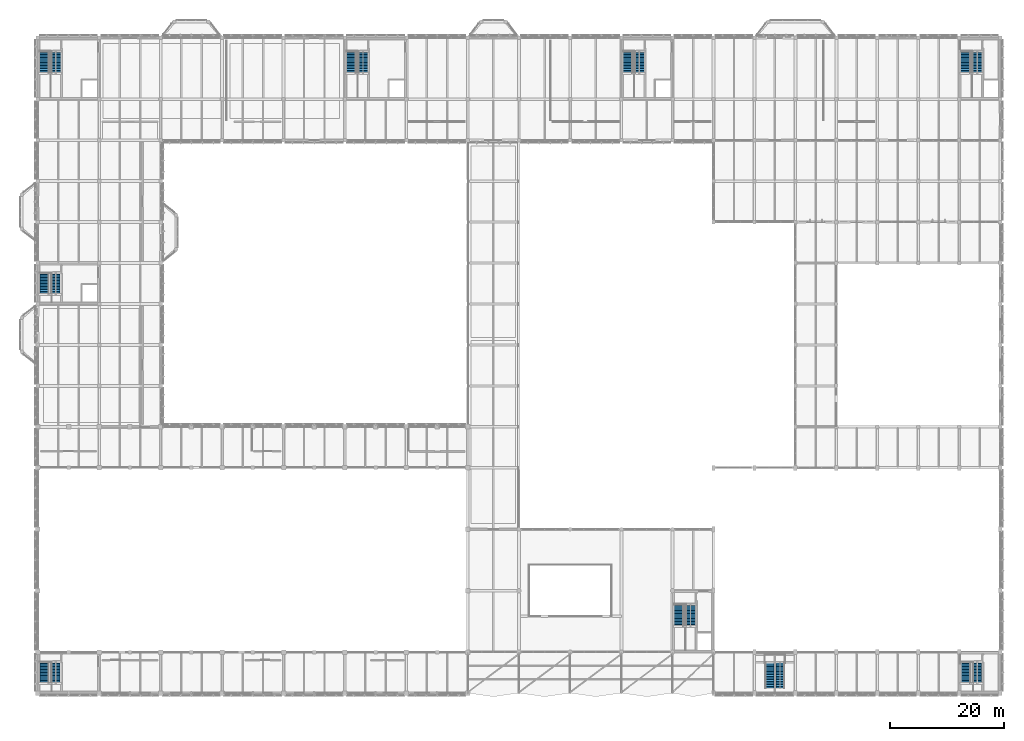
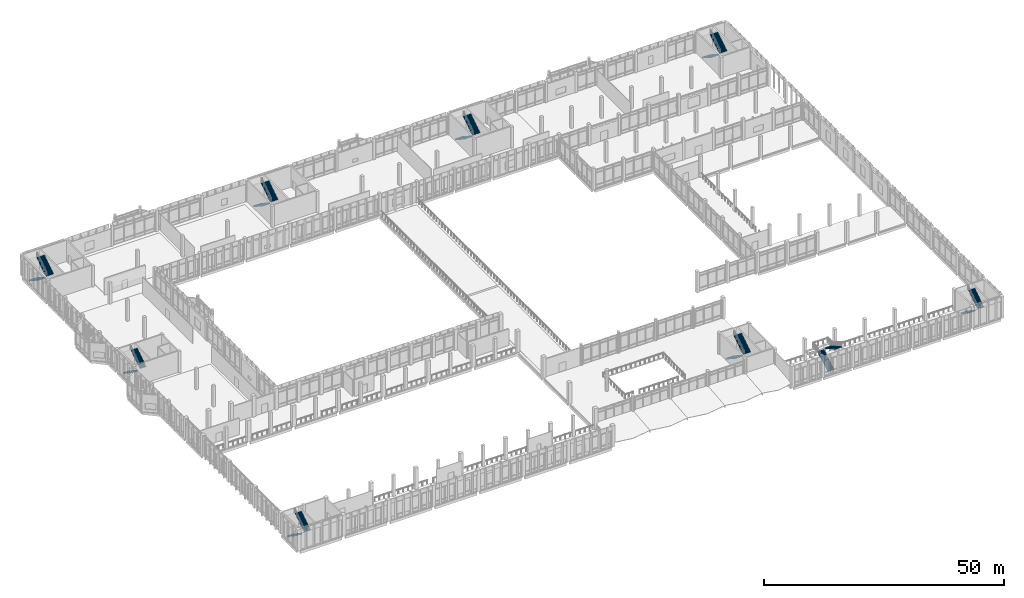
# One storey, part 163 of 180: 18 stair flights, 9 elements without a shape of their own.
"""IFC4 building model written with IfcOpenShell, lengths in metres."""

import ifcopenshell
import ifcopenshell.guid

model = None  # the IFC model being written
_history = None  # IfcOwnerHistory: only IFC2X3 demands one
_inside = {}  # id of a spatial element -> (the spatial element, [elements in it])
_under = {}  # id of a project, library or spatial element -> (it, [spatial elements below it])
_declared = {}  # id of a project -> (the project, [libraries it declares])
_typed = {}  # id of a type object -> (the type object, [elements of that type])
_made_of = {}  # id of a material, layer set ... -> (it, [elements and type objects made of it])


def new_model(schema):
    """Start an empty IFC model of exactly this schema.

    Asked for "IFC4X3", IfcOpenShell would pick the latest addendum, in which some entities
    have other attributes; the version numbers below select the first issue.
    IFC2X3 requires an IfcOwnerHistory on every rooted entity: one is made here for all.
    """
    global model, _history
    if schema == "IFC4X3":
        model = ifcopenshell.file(schema_version=(4, 3, 0, 0))
    else:
        model = ifcopenshell.file(schema=schema)
    _inside.clear()
    _under.clear()
    _declared.clear()
    _typed.clear()
    _made_of.clear()
    _history = None
    if model.schema == "IFC2X3":
        org = make("IfcOrganization", Name="unknown")
        user = make(
            "IfcPersonAndOrganization",
            ThePerson=make("IfcPerson", FamilyName="unknown"),
            TheOrganization=org,
        )
        app = make(
            "IfcApplication",
            ApplicationDeveloper=org,
            Version="unknown",
            ApplicationFullName="unknown",
            ApplicationIdentifier="unknown",
        )
        _history = make(
            "IfcOwnerHistory",
            OwningUser=user,
            OwningApplication=app,
            ChangeAction="ADDED",
            CreationDate=0,
        )
    return model


def make(cls, **values):
    """One entity of the class cls with the attributes given. An attribute that is None is left unset."""
    return model.create_entity(
        cls, **{name: value for name, value in values.items() if value is not None}
    )


def rooted(cls, **values):
    """An entity with a GlobalId (a new one), such as an element, a storey or a relation."""
    return make(cls, GlobalId=ifcopenshell.guid.new(), OwnerHistory=_history, **values)


def si_unit(unit_type, name, prefix=None):
    """IfcSIUnit, for example si_unit("LENGTHUNIT", "METRE", prefix="MILLI")."""
    return make("IfcSIUnit", UnitType=unit_type, Prefix=prefix, Name=name)


def assignment(units):
    """IfcUnitAssignment: the units of a project."""
    return None if units is None else make("IfcUnitAssignment", Units=units)


def point(xyz):
    """IfcCartesianPoint."""
    return None if xyz is None else make("IfcCartesianPoint", Coordinates=xyz)


def direction(xyz):
    """IfcDirection."""
    return None if xyz is None else make("IfcDirection", DirectionRatios=xyz)


def frame(location, z_axis=None, x_axis=None):
    """IfcAxis2Placement3D, a coordinate frame: its origin and axes. An axis left out is left unset."""
    return make(
        "IfcAxis2Placement3D",
        Location=point(location),
        Axis=direction(z_axis),
        RefDirection=direction(x_axis),
    )


def origin():
    """The frame at (0, 0, 0) with its axes left unset."""
    return frame((0.0, 0.0, 0.0))


def place(relative_to, where):
    """IfcLocalPlacement: puts the frame where relative to a parent placement (None: the world)."""
    return make(
        "IfcLocalPlacement", PlacementRelTo=relative_to, RelativePlacement=where
    )


def context(
    kind, dimensions, precision=None, world=None, true_north=None, identifier=None
):
    """IfcGeometricRepresentationContext, for example the 3D "Model" context."""
    return make(
        "IfcGeometricRepresentationContext",
        ContextIdentifier=identifier,
        ContextType=kind,
        CoordinateSpaceDimension=dimensions,
        Precision=precision,
        WorldCoordinateSystem=world,
        TrueNorth=true_north,
    )


def subcontext(parent, identifier, kind, view, scale=None):
    """IfcGeometricRepresentationSubContext, for example "Body" below "Model"."""
    return make(
        "IfcGeometricRepresentationSubContext",
        ContextIdentifier=identifier,
        ContextType=kind,
        ParentContext=parent,
        TargetScale=scale,
        TargetView=view,
    )


def project(units=None, contexts=None):
    """IfcProject with its units and contexts."""
    return rooted(
        "IfcProject",
        Name="project",
        RepresentationContexts=contexts,
        UnitsInContext=assignment(units),
    )


def spatial(cls, under=None, at=None, **own):
    """A site, building, storey or space (cls), placed at a placement, below another one or the project."""
    s = rooted(cls, ObjectPlacement=at, **own)
    if under is not None:
        _under.setdefault(under.id(), (under, []))[1].append(s)
    return s


def polyline(points):
    """IfcPolyline through the points."""
    return make("IfcPolyline", Points=[point(p) for p in points])


def outline(outer, holes=None, kind="AREA"):
    """IfcArbitraryClosedProfileDef: a profile drawn as a closed curve; with holes, ...WithVoids."""
    if holes is None:
        return make("IfcArbitraryClosedProfileDef", ProfileType=kind, OuterCurve=outer)
    return make(
        "IfcArbitraryProfileDefWithVoids",
        ProfileType=kind,
        OuterCurve=outer,
        InnerCurves=holes,
    )


def extrude(swept, where, along, depth):
    """IfcExtrudedAreaSolid: the profile swept, set in the frame where, extruded along a direction by depth."""
    return make(
        "IfcExtrudedAreaSolid",
        SweptArea=swept,
        Position=where,
        ExtrudedDirection=direction(along),
        Depth=depth,
    )


def shape(context_of_items, identifier, shape_type, items):
    """IfcShapeRepresentation: the items that make up one representation, for example the "Body"."""
    return make(
        "IfcShapeRepresentation",
        ContextOfItems=context_of_items,
        RepresentationIdentifier=identifier,
        RepresentationType=shape_type,
        Items=items,
    )


def material(Name=None, Category=None):
    """IfcMaterial."""
    return make("IfcMaterial", Name=Name, Category=Category)


def made_of(thing, what):
    """Note that an element or type object is made of a material, layer set ...; save() writes the relation."""
    if what is not None:
        _made_of.setdefault(what.id(), (what, []))[1].append(thing)
    return thing


def type_object(cls, material=None, **own):
    """A type object (cls), such as IfcWallType, which elements share."""
    return made_of(rooted(cls, **own), material)


def element(
    cls,
    number,
    at=None,
    inside=None,
    cuts=None,
    type_object=None,
    material=None,
    context=None,
    identifier="Body",
    shape_type=None,
    held_by="IfcProductDefinitionShape",
    body=None,
    shapes=None,
    **own,
):
    """One element of the class cls, such as IfcWall. Its Tag is "e" and its number.

    at: its placement. inside: the storey or other place that contains it. cuts: it is an
    opening in that element (IfcRelVoidsElement). A single representation is given by context,
    identifier, shape_type and body (its items); several are given by shapes. held_by: the class
    of the entity that holds the representations. save() writes the other relations.
    """
    e = rooted(cls, Tag="e%d" % number, ObjectPlacement=at, **own)
    if body is not None:
        shapes = [shape(context, identifier, shape_type, body)]
    if shapes is not None:
        e.Representation = make(held_by, Representations=shapes)
    if inside is not None:
        _inside.setdefault(inside.id(), (inside, []))[1].append(e)
    if cuts is not None:
        rooted(
            "IfcRelVoidsElement", RelatingBuildingElement=cuts, RelatedOpeningElement=e
        )
    if type_object is not None:
        _typed.setdefault(type_object.id(), (type_object, []))[1].append(e)
    return made_of(e, material)


def aggregate(whole, parts):
    """IfcRelAggregates: a whole, such as a stair, and the parts it consists of."""
    return rooted("IfcRelAggregates", RelatingObject=whole, RelatedObjects=parts)


def save(model, path):
    """Write the relations noted so far, then the file.

    IfcRelAggregates (storeys below a building ...), IfcRelContainedInSpatialStructure (elements
    in a storey), IfcRelDefinesByType, IfcRelAssociatesMaterial and IfcRelDeclares: one each for
    every whole, place, type object, material and project.
    """
    for whole, parts in _under.values():
        aggregate(whole, parts)
    for where, things in _inside.values():
        rooted(
            "IfcRelContainedInSpatialStructure",
            RelatedElements=things,
            RelatingStructure=where,
        )
    for kind, things in _typed.values():
        rooted("IfcRelDefinesByType", RelatedObjects=things, RelatingType=kind)
    for what, things in _made_of.values():
        rooted("IfcRelAssociatesMaterial", RelatedObjects=things, RelatingMaterial=what)
    for by, libraries in _declared.values():
        rooted("IfcRelDeclares", RelatingContext=by, RelatedDefinitions=libraries)
    model.write(path)


model = new_model("IFC4")

# Units and contexts
model_context = context("Model", 3, precision=1e-05, world=origin(), true_north=direction((0.0, 1.0)))
body_context = subcontext(model_context, "Body", "Model", "MODEL_VIEW")
ifc_project = project(units=[si_unit("LENGTHUNIT", "METRE"), si_unit("AREAUNIT", "SQUARE_METRE"), si_unit("VOLUMEUNIT", "CUBIC_METRE"), si_unit("PLANEANGLEUNIT", "RADIAN"), si_unit("MASSUNIT", "GRAM", prefix="KILO")], contexts=[model_context])

# Site, building, storey
site_placement = place(None, origin())
site = spatial("IfcSite", under=ifc_project, at=site_placement, CompositionType="ELEMENT")
building_placement = place(site_placement, origin())
building = spatial("IfcBuilding", under=site, at=building_placement, Name="Lusvemor Sports Hall", CompositionType="ELEMENT")
storey_placement = place(building_placement, frame((0.0, 0.0, 5.39990234375)))
storey = spatial("IfcBuildingStorey", under=building, at=storey_placement, Name="L01", CompositionType="ELEMENT", Elevation=5.39990234375)

# Stair, stair flights
ifc_material_1 = material(Name="Concrete C40/50", Category="concrete")
stair_type_1 = type_object("IfcStairType", Name="STAIR_CORE_540", PredefinedType="HALF_TURN_STAIR", material=ifc_material_1)
stair_1_placement = place(storey_placement, origin())
stair_1 = element("IfcStair", 1, at=stair_1_placement, inside=storey, type_object=stair_type_1, Name="Escape Stair C1 (L01)", PredefinedType="HALF_TURN_STAIR")
ifc_material_2 = material(Name="Concrete C40/50", Category="concrete")
stair_flight_type_1 = type_object("IfcStairFlightType", Name="SFLT_CORE_15R", PredefinedType="STRAIGHT", material=ifc_material_2)
stair_flight_1_placement = place(storey_placement, frame((1.159912109375, 112.85009765625, 0.0), z_axis=(0.0, 0.0, 1.0), x_axis=(0.0, -1.0, 0.0)))
stair_flight_1 = element("IfcStairFlight", 2, at=stair_flight_1_placement, type_object=stair_flight_type_1, Name="ST01 flight 1", NumberOfRisers=15, NumberOfTreads=14, PredefinedType="STRAIGHT", RiserHeight=0.18, TreadLength=0.28, context=body_context, shape_type="SweptSolid", body=[
    extrude(outline(polyline([(0.0, 0.0), (0.0, 0.179931640625), (0.280029296875, 0.179931640625), (0.280029296875, 0.360107421875), (0.56005859375, 0.360107421875), (0.56005859375, 0.5400390625), (0.840087890625, 0.5400390625), (0.840087890625, 0.719970703125), (1.1201171875, 0.719970703125), (1.1201171875, 0.89990234375), (1.39990234375, 0.89990234375), (1.39990234375, 1.080078125), (1.679931640625, 1.080078125), (1.679931640625, 1.260009765625), (1.9599609375, 1.260009765625), (1.9599609375, 1.43994140625), (2.239990234375, 1.43994140625), (2.239990234375, 1.6201171875), (2.52001953125, 1.6201171875), (2.52001953125, 1.800048828125), (2.800048828125, 1.800048828125), (2.800048828125, 1.97998046875), (3.080078125, 1.97998046875), (3.080078125, 2.159912109375), (3.360107421875, 2.159912109375), (3.360107421875, 2.340087890625), (3.639892578125, 2.340087890625), (3.639892578125, 2.52001953125), (3.919921875, 2.52001953125), (3.919921875, 2.699951171875), (3.919921875, 2.329833984375), (0.295654296875, 0.0), (0.0, 0.0)])), frame((0.0, 0.9599609375, 0.0), z_axis=(0.0, -1.0, 0.0), x_axis=(1.0, 0.0, 0.0)), (0.0, 0.0, 1.0), 1.919921875),
])
stair_flight_2_placement = place(storey_placement, frame((3.159912109375, 108.929931640625, 2.7001953125), z_axis=(0.0, 0.0, 1.0), x_axis=(0.0, 1.0, 0.0)))
stair_flight_2 = element("IfcStairFlight", 3, at=stair_flight_2_placement, type_object=stair_flight_type_1, Name="ST01 flight 2", NumberOfRisers=15, NumberOfTreads=14, PredefinedType="STRAIGHT", RiserHeight=0.18, TreadLength=0.28, context=body_context, shape_type="SweptSolid", body=[
    extrude(outline(polyline([(0.0, 0.0), (0.0, 0.179931640625), (0.280029296875, 0.179931640625), (0.280029296875, 0.360107421875), (0.56005859375, 0.360107421875), (0.56005859375, 0.5400390625), (0.840087890625, 0.5400390625), (0.840087890625, 0.719970703125), (1.1201171875, 0.719970703125), (1.1201171875, 0.89990234375), (1.39990234375, 0.89990234375), (1.39990234375, 1.080078125), (1.679931640625, 1.080078125), (1.679931640625, 1.260009765625), (1.9599609375, 1.260009765625), (1.9599609375, 1.43994140625), (2.239990234375, 1.43994140625), (2.239990234375, 1.6201171875), (2.52001953125, 1.6201171875), (2.52001953125, 1.800048828125), (2.800048828125, 1.800048828125), (2.800048828125, 1.97998046875), (3.080078125, 1.97998046875), (3.080078125, 2.159912109375), (3.360107421875, 2.159912109375), (3.360107421875, 2.340087890625), (3.639892578125, 2.340087890625), (3.639892578125, 2.52001953125), (3.919921875, 2.52001953125), (3.919921875, 2.699951171875), (3.919921875, 2.329833984375), (0.295654296875, 0.0), (0.0, 0.0)])), frame((0.0, 0.9599609375, 0.0), z_axis=(0.0, -1.0, 0.0), x_axis=(1.0, 0.0, 0.0)), (0.0, 0.0, 1.0), 1.919921875),
])
aggregate(stair_1, [stair_flight_1, stair_flight_2])

stair_2_placement = place(storey_placement, origin())
stair_2 = element("IfcStair", 4, at=stair_2_placement, inside=storey, type_object=stair_type_1, Name="Escape Stair C2 (L01)", PredefinedType="HALF_TURN_STAIR")
stair_flight_3_placement = place(storey_placement, frame((55.159912109375, 112.85009765625, 0.0), z_axis=(0.0, 0.0, 1.0), x_axis=(0.0, -1.0, 0.0)))
stair_flight_3 = element("IfcStairFlight", 5, at=stair_flight_3_placement, type_object=stair_flight_type_1, Name="ST01 flight 1", NumberOfRisers=15, NumberOfTreads=14, PredefinedType="STRAIGHT", RiserHeight=0.18, TreadLength=0.28, context=body_context, shape_type="SweptSolid", body=[
    extrude(outline(polyline([(0.0, 0.0), (0.0, 0.179931640625), (0.280029296875, 0.179931640625), (0.280029296875, 0.360107421875), (0.56005859375, 0.360107421875), (0.56005859375, 0.5400390625), (0.840087890625, 0.5400390625), (0.840087890625, 0.719970703125), (1.1201171875, 0.719970703125), (1.1201171875, 0.89990234375), (1.39990234375, 0.89990234375), (1.39990234375, 1.080078125), (1.679931640625, 1.080078125), (1.679931640625, 1.260009765625), (1.9599609375, 1.260009765625), (1.9599609375, 1.43994140625), (2.239990234375, 1.43994140625), (2.239990234375, 1.6201171875), (2.52001953125, 1.6201171875), (2.52001953125, 1.800048828125), (2.800048828125, 1.800048828125), (2.800048828125, 1.97998046875), (3.080078125, 1.97998046875), (3.080078125, 2.159912109375), (3.360107421875, 2.159912109375), (3.360107421875, 2.340087890625), (3.639892578125, 2.340087890625), (3.639892578125, 2.52001953125), (3.919921875, 2.52001953125), (3.919921875, 2.699951171875), (3.919921875, 2.329833984375), (0.295654296875, 0.0), (0.0, 0.0)])), frame((0.0, 0.9599609375, 0.0), z_axis=(0.0, -1.0, 0.0), x_axis=(1.0, 0.0, 0.0)), (0.0, 0.0, 1.0), 1.919921875),
])
stair_flight_4_placement = place(storey_placement, frame((57.159912109375, 108.929931640625, 2.7001953125), z_axis=(0.0, 0.0, 1.0), x_axis=(0.0, 1.0, 0.0)))
stair_flight_4 = element("IfcStairFlight", 6, at=stair_flight_4_placement, type_object=stair_flight_type_1, Name="ST01 flight 2", NumberOfRisers=15, NumberOfTreads=14, PredefinedType="STRAIGHT", RiserHeight=0.18, TreadLength=0.28, context=body_context, shape_type="SweptSolid", body=[
    extrude(outline(polyline([(0.0, 0.0), (0.0, 0.179931640625), (0.280029296875, 0.179931640625), (0.280029296875, 0.360107421875), (0.56005859375, 0.360107421875), (0.56005859375, 0.5400390625), (0.840087890625, 0.5400390625), (0.840087890625, 0.719970703125), (1.1201171875, 0.719970703125), (1.1201171875, 0.89990234375), (1.39990234375, 0.89990234375), (1.39990234375, 1.080078125), (1.679931640625, 1.080078125), (1.679931640625, 1.260009765625), (1.9599609375, 1.260009765625), (1.9599609375, 1.43994140625), (2.239990234375, 1.43994140625), (2.239990234375, 1.6201171875), (2.52001953125, 1.6201171875), (2.52001953125, 1.800048828125), (2.800048828125, 1.800048828125), (2.800048828125, 1.97998046875), (3.080078125, 1.97998046875), (3.080078125, 2.159912109375), (3.360107421875, 2.159912109375), (3.360107421875, 2.340087890625), (3.639892578125, 2.340087890625), (3.639892578125, 2.52001953125), (3.919921875, 2.52001953125), (3.919921875, 2.699951171875), (3.919921875, 2.329833984375), (0.295654296875, 0.0), (0.0, 0.0)])), frame((0.0, 0.9599609375, 0.0), z_axis=(0.0, -1.0, 0.0), x_axis=(1.0, 0.0, 0.0)), (0.0, 0.0, 1.0), 1.919921875),
])
aggregate(stair_2, [stair_flight_3, stair_flight_4])

stair_3_placement = place(storey_placement, origin())
stair_3 = element("IfcStair", 7, at=stair_3_placement, inside=storey, type_object=stair_type_1, Name="Escape Stair C4 (L01)", PredefinedType="HALF_TURN_STAIR")
stair_flight_5_placement = place(storey_placement, frame((103.760009765625, 112.85009765625, 0.0), z_axis=(0.0, 0.0, 1.0), x_axis=(0.0, -1.0, 0.0)))
stair_flight_5 = element("IfcStairFlight", 8, at=stair_flight_5_placement, type_object=stair_flight_type_1, Name="ST01 flight 1", NumberOfRisers=15, NumberOfTreads=14, PredefinedType="STRAIGHT", RiserHeight=0.18, TreadLength=0.28, context=body_context, shape_type="SweptSolid", body=[
    extrude(outline(polyline([(0.0, 0.0), (0.0, 0.179931640625), (0.280029296875, 0.179931640625), (0.280029296875, 0.360107421875), (0.56005859375, 0.360107421875), (0.56005859375, 0.5400390625), (0.840087890625, 0.5400390625), (0.840087890625, 0.719970703125), (1.1201171875, 0.719970703125), (1.1201171875, 0.89990234375), (1.39990234375, 0.89990234375), (1.39990234375, 1.080078125), (1.679931640625, 1.080078125), (1.679931640625, 1.260009765625), (1.9599609375, 1.260009765625), (1.9599609375, 1.43994140625), (2.239990234375, 1.43994140625), (2.239990234375, 1.6201171875), (2.52001953125, 1.6201171875), (2.52001953125, 1.800048828125), (2.800048828125, 1.800048828125), (2.800048828125, 1.97998046875), (3.080078125, 1.97998046875), (3.080078125, 2.159912109375), (3.360107421875, 2.159912109375), (3.360107421875, 2.340087890625), (3.639892578125, 2.340087890625), (3.639892578125, 2.52001953125), (3.919921875, 2.52001953125), (3.919921875, 2.699951171875), (3.919921875, 2.329833984375), (0.295654296875, 0.0), (0.0, 0.0)])), frame((0.0, 0.9599609375, 0.0), z_axis=(0.0, -1.0, 0.0), x_axis=(1.0, 0.0, 0.0)), (0.0, 0.0, 1.0), 1.919921875),
])
stair_flight_6_placement = place(storey_placement, frame((105.760009765625, 108.929931640625, 2.7001953125), z_axis=(0.0, 0.0, 1.0), x_axis=(0.0, 1.0, 0.0)))
stair_flight_6 = element("IfcStairFlight", 9, at=stair_flight_6_placement, type_object=stair_flight_type_1, Name="ST01 flight 2", NumberOfRisers=15, NumberOfTreads=14, PredefinedType="STRAIGHT", RiserHeight=0.18, TreadLength=0.28, context=body_context, shape_type="SweptSolid", body=[
    extrude(outline(polyline([(0.0, 0.0), (0.0, 0.179931640625), (0.280029296875, 0.179931640625), (0.280029296875, 0.360107421875), (0.56005859375, 0.360107421875), (0.56005859375, 0.5400390625), (0.840087890625, 0.5400390625), (0.840087890625, 0.719970703125), (1.1201171875, 0.719970703125), (1.1201171875, 0.89990234375), (1.39990234375, 0.89990234375), (1.39990234375, 1.080078125), (1.679931640625, 1.080078125), (1.679931640625, 1.260009765625), (1.9599609375, 1.260009765625), (1.9599609375, 1.43994140625), (2.239990234375, 1.43994140625), (2.239990234375, 1.6201171875), (2.52001953125, 1.6201171875), (2.52001953125, 1.800048828125), (2.800048828125, 1.800048828125), (2.800048828125, 1.97998046875), (3.080078125, 1.97998046875), (3.080078125, 2.159912109375), (3.360107421875, 2.159912109375), (3.360107421875, 2.340087890625), (3.639892578125, 2.340087890625), (3.639892578125, 2.52001953125), (3.919921875, 2.52001953125), (3.919921875, 2.699951171875), (3.919921875, 2.329833984375), (0.295654296875, 0.0), (0.0, 0.0)])), frame((0.0, 0.9599609375, 0.0), z_axis=(0.0, -1.0, 0.0), x_axis=(1.0, 0.0, 0.0)), (0.0, 0.0, 1.0), 1.919921875),
])
aggregate(stair_3, [stair_flight_5, stair_flight_6])

stair_4_placement = place(storey_placement, origin())
stair_4 = element("IfcStair", 10, at=stair_4_placement, inside=storey, type_object=stair_type_1, Name="Escape Stair C5 (L01)", PredefinedType="HALF_TURN_STAIR")
stair_flight_7_placement = place(storey_placement, frame((163.159912109375, 112.85009765625, 0.0), z_axis=(0.0, 0.0, 1.0), x_axis=(0.0, -1.0, 0.0)))
stair_flight_7 = element("IfcStairFlight", 11, at=stair_flight_7_placement, type_object=stair_flight_type_1, Name="ST01 flight 1", NumberOfRisers=15, NumberOfTreads=14, PredefinedType="STRAIGHT", RiserHeight=0.18, TreadLength=0.28, context=body_context, shape_type="SweptSolid", body=[
    extrude(outline(polyline([(0.0, 0.0), (0.0, 0.179931640625), (0.280029296875, 0.179931640625), (0.280029296875, 0.360107421875), (0.56005859375, 0.360107421875), (0.56005859375, 0.5400390625), (0.840087890625, 0.5400390625), (0.840087890625, 0.719970703125), (1.1201171875, 0.719970703125), (1.1201171875, 0.89990234375), (1.39990234375, 0.89990234375), (1.39990234375, 1.080078125), (1.679931640625, 1.080078125), (1.679931640625, 1.260009765625), (1.9599609375, 1.260009765625), (1.9599609375, 1.43994140625), (2.239990234375, 1.43994140625), (2.239990234375, 1.6201171875), (2.52001953125, 1.6201171875), (2.52001953125, 1.800048828125), (2.800048828125, 1.800048828125), (2.800048828125, 1.97998046875), (3.080078125, 1.97998046875), (3.080078125, 2.159912109375), (3.360107421875, 2.159912109375), (3.360107421875, 2.340087890625), (3.639892578125, 2.340087890625), (3.639892578125, 2.52001953125), (3.919921875, 2.52001953125), (3.919921875, 2.699951171875), (3.919921875, 2.329833984375), (0.295654296875, 0.0), (0.0, 0.0)])), frame((0.0, 0.9599609375, 0.0), z_axis=(0.0, -1.0, 0.0), x_axis=(1.0, 0.0, 0.0)), (0.0, 0.0, 1.0), 1.919921875),
])
stair_flight_8_placement = place(storey_placement, frame((165.159912109375, 108.929931640625, 2.7001953125), z_axis=(0.0, 0.0, 1.0), x_axis=(0.0, 1.0, 0.0)))
stair_flight_8 = element("IfcStairFlight", 12, at=stair_flight_8_placement, type_object=stair_flight_type_1, Name="ST01 flight 2", NumberOfRisers=15, NumberOfTreads=14, PredefinedType="STRAIGHT", RiserHeight=0.18, TreadLength=0.28, context=body_context, shape_type="SweptSolid", body=[
    extrude(outline(polyline([(0.0, 0.0), (0.0, 0.179931640625), (0.280029296875, 0.179931640625), (0.280029296875, 0.360107421875), (0.56005859375, 0.360107421875), (0.56005859375, 0.5400390625), (0.840087890625, 0.5400390625), (0.840087890625, 0.719970703125), (1.1201171875, 0.719970703125), (1.1201171875, 0.89990234375), (1.39990234375, 0.89990234375), (1.39990234375, 1.080078125), (1.679931640625, 1.080078125), (1.679931640625, 1.260009765625), (1.9599609375, 1.260009765625), (1.9599609375, 1.43994140625), (2.239990234375, 1.43994140625), (2.239990234375, 1.6201171875), (2.52001953125, 1.6201171875), (2.52001953125, 1.800048828125), (2.800048828125, 1.800048828125), (2.800048828125, 1.97998046875), (3.080078125, 1.97998046875), (3.080078125, 2.159912109375), (3.360107421875, 2.159912109375), (3.360107421875, 2.340087890625), (3.639892578125, 2.340087890625), (3.639892578125, 2.52001953125), (3.919921875, 2.52001953125), (3.919921875, 2.699951171875), (3.919921875, 2.329833984375), (0.295654296875, 0.0), (0.0, 0.0)])), frame((0.0, 0.9599609375, 0.0), z_axis=(0.0, -1.0, 0.0), x_axis=(1.0, 0.0, 0.0)), (0.0, 0.0, 1.0), 1.919921875),
])
aggregate(stair_4, [stair_flight_7, stair_flight_8])

stair_5_placement = place(storey_placement, origin())
stair_5 = element("IfcStair", 13, at=stair_5_placement, inside=storey, type_object=stair_type_1, Name="Escape Stair C7 (L01)", PredefinedType="HALF_TURN_STAIR")
stair_flight_9_placement = place(storey_placement, frame((112.760009765625, 15.64990234375, 0.0), z_axis=(0.0, 0.0, 1.0), x_axis=(0.0, -1.0, 0.0)))
stair_flight_9 = element("IfcStairFlight", 14, at=stair_flight_9_placement, type_object=stair_flight_type_1, Name="ST01 flight 1", NumberOfRisers=15, NumberOfTreads=14, PredefinedType="STRAIGHT", RiserHeight=0.18, TreadLength=0.28, context=body_context, shape_type="SweptSolid", body=[
    extrude(outline(polyline([(0.0, 0.0), (0.0, 0.179931640625), (0.280029296875, 0.179931640625), (0.280029296875, 0.360107421875), (0.56005859375, 0.360107421875), (0.56005859375, 0.5400390625), (0.840087890625, 0.5400390625), (0.840087890625, 0.719970703125), (1.1201171875, 0.719970703125), (1.1201171875, 0.89990234375), (1.39990234375, 0.89990234375), (1.39990234375, 1.080078125), (1.679931640625, 1.080078125), (1.679931640625, 1.260009765625), (1.9599609375, 1.260009765625), (1.9599609375, 1.43994140625), (2.239990234375, 1.43994140625), (2.239990234375, 1.6201171875), (2.52001953125, 1.6201171875), (2.52001953125, 1.800048828125), (2.800048828125, 1.800048828125), (2.800048828125, 1.97998046875), (3.080078125, 1.97998046875), (3.080078125, 2.159912109375), (3.360107421875, 2.159912109375), (3.360107421875, 2.340087890625), (3.639892578125, 2.340087890625), (3.639892578125, 2.52001953125), (3.919921875, 2.52001953125), (3.919921875, 2.699951171875), (3.919921875, 2.329833984375), (0.295654296875, 0.0), (0.0, 0.0)])), frame((0.0, 0.9599609375, 0.0), z_axis=(0.0, -1.0, 0.0), x_axis=(1.0, 0.0, 0.0)), (0.0, 0.0, 1.0), 1.919921875),
])
stair_flight_10_placement = place(storey_placement, frame((114.760009765625, 11.72998046875, 2.7001953125), z_axis=(0.0, 0.0, 1.0), x_axis=(0.0, 1.0, 0.0)))
stair_flight_10 = element("IfcStairFlight", 15, at=stair_flight_10_placement, type_object=stair_flight_type_1, Name="ST01 flight 2", NumberOfRisers=15, NumberOfTreads=14, PredefinedType="STRAIGHT", RiserHeight=0.18, TreadLength=0.28, context=body_context, shape_type="SweptSolid", body=[
    extrude(outline(polyline([(0.0, 0.0), (0.0, 0.179931640625), (0.280029296875, 0.179931640625), (0.280029296875, 0.360107421875), (0.56005859375, 0.360107421875), (0.56005859375, 0.5400390625), (0.840087890625, 0.5400390625), (0.840087890625, 0.719970703125), (1.1201171875, 0.719970703125), (1.1201171875, 0.89990234375), (1.39990234375, 0.89990234375), (1.39990234375, 1.080078125), (1.679931640625, 1.080078125), (1.679931640625, 1.260009765625), (1.9599609375, 1.260009765625), (1.9599609375, 1.43994140625), (2.239990234375, 1.43994140625), (2.239990234375, 1.6201171875), (2.52001953125, 1.6201171875), (2.52001953125, 1.800048828125), (2.800048828125, 1.800048828125), (2.800048828125, 1.97998046875), (3.080078125, 1.97998046875), (3.080078125, 2.159912109375), (3.360107421875, 2.159912109375), (3.360107421875, 2.340087890625), (3.639892578125, 2.340087890625), (3.639892578125, 2.52001953125), (3.919921875, 2.52001953125), (3.919921875, 2.699951171875), (3.919921875, 2.329833984375), (0.295654296875, 0.0), (0.0, 0.0)])), frame((0.0, 0.9599609375, 0.0), z_axis=(0.0, -1.0, 0.0), x_axis=(1.0, 0.0, 0.0)), (0.0, 0.0, 1.0), 1.919921875),
])
aggregate(stair_5, [stair_flight_9, stair_flight_10])

ifc_material_3 = material(Name="Concrete C40/50", Category="concrete")
stair_type_2 = type_object("IfcStairType", Name="STAIR_CORE_540_C", PredefinedType="HALF_TURN_STAIR", material=ifc_material_3)
stair_6_placement = place(storey_placement, origin())
stair_6 = element("IfcStair", 16, at=stair_6_placement, inside=storey, type_object=stair_type_2, Name="Escape Stair C3 (L01)", PredefinedType="HALF_TURN_STAIR")
ifc_material_4 = material(Name="Concrete C40/50", Category="concrete")
stair_flight_type_2 = type_object("IfcStairFlightType", Name="SFLT_CORE_15R_C", PredefinedType="STRAIGHT", material=ifc_material_4)
stair_flight_11_placement = place(storey_placement, frame((1.14990234375, 73.8798828125, 0.0), z_axis=(0.0, 0.0, 1.0), x_axis=(0.0, -1.0, 0.0)))
stair_flight_11 = element("IfcStairFlight", 17, at=stair_flight_11_placement, type_object=stair_flight_type_2, Name="ST05 flight 1", NumberOfRisers=15, NumberOfTreads=14, PredefinedType="STRAIGHT", RiserHeight=0.18, TreadLength=0.27, context=body_context, shape_type="SweptSolid", body=[
    extrude(outline(polyline([(0.0, 0.0), (0.0, 0.179931640625), (0.27001953125, 0.179931640625), (0.27001953125, 0.360107421875), (0.5400390625, 0.360107421875), (0.5400390625, 0.5400390625), (0.81005859375, 0.5400390625), (0.81005859375, 0.719970703125), (1.080078125, 0.719970703125), (1.080078125, 0.89990234375), (1.35009765625, 0.89990234375), (1.35009765625, 1.080078125), (1.6201171875, 1.080078125), (1.6201171875, 1.260009765625), (1.889892578125, 1.260009765625), (1.889892578125, 1.43994140625), (2.159912109375, 1.43994140625), (2.159912109375, 1.6201171875), (2.429931640625, 1.6201171875), (2.429931640625, 1.800048828125), (2.699951171875, 1.800048828125), (2.699951171875, 1.97998046875), (2.969970703125, 1.97998046875), (2.969970703125, 2.159912109375), (3.239990234375, 2.159912109375), (3.239990234375, 2.340087890625), (3.510009765625, 2.340087890625), (3.510009765625, 2.52001953125), (3.780029296875, 2.52001953125), (3.780029296875, 2.699951171875), (3.780029296875, 2.327880859375), (0.288330078125, 0.0), (0.0, 0.0)])), frame((0.0, 0.75, 0.0), z_axis=(0.0, -1.0, 0.0), x_axis=(1.0, 0.0, 0.0)), (0.0, 0.0, 1.0), 1.5),
])
stair_flight_12_placement = place(storey_placement, frame((3.14990234375, 70.10009765625, 2.7001953125), z_axis=(0.0, 0.0, 1.0), x_axis=(0.0, 1.0, 0.0)))
stair_flight_12 = element("IfcStairFlight", 18, at=stair_flight_12_placement, type_object=stair_flight_type_2, Name="ST05 flight 2", NumberOfRisers=15, NumberOfTreads=14, PredefinedType="STRAIGHT", RiserHeight=0.18, TreadLength=0.27, context=body_context, shape_type="SweptSolid", body=[
    extrude(outline(polyline([(0.0, 0.0), (0.0, 0.179931640625), (0.27001953125, 0.179931640625), (0.27001953125, 0.360107421875), (0.5400390625, 0.360107421875), (0.5400390625, 0.5400390625), (0.81005859375, 0.5400390625), (0.81005859375, 0.719970703125), (1.080078125, 0.719970703125), (1.080078125, 0.89990234375), (1.35009765625, 0.89990234375), (1.35009765625, 1.080078125), (1.6201171875, 1.080078125), (1.6201171875, 1.260009765625), (1.889892578125, 1.260009765625), (1.889892578125, 1.43994140625), (2.159912109375, 1.43994140625), (2.159912109375, 1.6201171875), (2.429931640625, 1.6201171875), (2.429931640625, 1.800048828125), (2.699951171875, 1.800048828125), (2.699951171875, 1.97998046875), (2.969970703125, 1.97998046875), (2.969970703125, 2.159912109375), (3.239990234375, 2.159912109375), (3.239990234375, 2.340087890625), (3.510009765625, 2.340087890625), (3.510009765625, 2.52001953125), (3.780029296875, 2.52001953125), (3.780029296875, 2.699951171875), (3.780029296875, 2.327880859375), (0.288330078125, 0.0), (0.0, 0.0)])), frame((0.0, 0.75, 0.0), z_axis=(0.0, -1.0, 0.0), x_axis=(1.0, 0.0, 0.0)), (0.0, 0.0, 1.0), 1.5),
])
aggregate(stair_6, [stair_flight_11, stair_flight_12])

stair_7_placement = place(storey_placement, origin())
stair_7 = element("IfcStair", 19, at=stair_7_placement, inside=storey, type_object=stair_type_2, Name="Escape Stair C6 (L01)", PredefinedType="HALF_TURN_STAIR")
stair_flight_13_placement = place(storey_placement, frame((1.14990234375, 5.47998046875, 0.0), z_axis=(0.0, 0.0, 1.0), x_axis=(0.0, -1.0, 0.0)))
stair_flight_13 = element("IfcStairFlight", 20, at=stair_flight_13_placement, type_object=stair_flight_type_2, Name="ST05 flight 1", NumberOfRisers=15, NumberOfTreads=14, PredefinedType="STRAIGHT", RiserHeight=0.18, TreadLength=0.27, context=body_context, shape_type="SweptSolid", body=[
    extrude(outline(polyline([(0.0, 0.0), (0.0, 0.179931640625), (0.27001953125, 0.179931640625), (0.27001953125, 0.360107421875), (0.5400390625, 0.360107421875), (0.5400390625, 0.5400390625), (0.81005859375, 0.5400390625), (0.81005859375, 0.719970703125), (1.080078125, 0.719970703125), (1.080078125, 0.89990234375), (1.35009765625, 0.89990234375), (1.35009765625, 1.080078125), (1.6201171875, 1.080078125), (1.6201171875, 1.260009765625), (1.889892578125, 1.260009765625), (1.889892578125, 1.43994140625), (2.159912109375, 1.43994140625), (2.159912109375, 1.6201171875), (2.429931640625, 1.6201171875), (2.429931640625, 1.800048828125), (2.699951171875, 1.800048828125), (2.699951171875, 1.97998046875), (2.969970703125, 1.97998046875), (2.969970703125, 2.159912109375), (3.239990234375, 2.159912109375), (3.239990234375, 2.340087890625), (3.510009765625, 2.340087890625), (3.510009765625, 2.52001953125), (3.780029296875, 2.52001953125), (3.780029296875, 2.699951171875), (3.780029296875, 2.327880859375), (0.288330078125, 0.0), (0.0, 0.0)])), frame((0.0, 0.75, 0.0), z_axis=(0.0, -1.0, 0.0), x_axis=(1.0, 0.0, 0.0)), (0.0, 0.0, 1.0), 1.5),
])
stair_flight_14_placement = place(storey_placement, frame((3.14990234375, 1.699951171875, 2.7001953125), z_axis=(0.0, 0.0, 1.0), x_axis=(0.0, 1.0, 0.0)))
stair_flight_14 = element("IfcStairFlight", 21, at=stair_flight_14_placement, type_object=stair_flight_type_2, Name="ST05 flight 2", NumberOfRisers=15, NumberOfTreads=14, PredefinedType="STRAIGHT", RiserHeight=0.18, TreadLength=0.27, context=body_context, shape_type="SweptSolid", body=[
    extrude(outline(polyline([(0.0, 0.0), (0.0, 0.179931640625), (0.27001953125, 0.179931640625), (0.27001953125, 0.360107421875), (0.5400390625, 0.360107421875), (0.5400390625, 0.5400390625), (0.81005859375, 0.5400390625), (0.81005859375, 0.719970703125), (1.080078125, 0.719970703125), (1.080078125, 0.89990234375), (1.35009765625, 0.89990234375), (1.35009765625, 1.080078125), (1.6201171875, 1.080078125), (1.6201171875, 1.260009765625), (1.889892578125, 1.260009765625), (1.889892578125, 1.43994140625), (2.159912109375, 1.43994140625), (2.159912109375, 1.6201171875), (2.429931640625, 1.6201171875), (2.429931640625, 1.800048828125), (2.699951171875, 1.800048828125), (2.699951171875, 1.97998046875), (2.969970703125, 1.97998046875), (2.969970703125, 2.159912109375), (3.239990234375, 2.159912109375), (3.239990234375, 2.340087890625), (3.510009765625, 2.340087890625), (3.510009765625, 2.52001953125), (3.780029296875, 2.52001953125), (3.780029296875, 2.699951171875), (3.780029296875, 2.327880859375), (0.288330078125, 0.0), (0.0, 0.0)])), frame((0.0, 0.75, 0.0), z_axis=(0.0, -1.0, 0.0), x_axis=(1.0, 0.0, 0.0)), (0.0, 0.0, 1.0), 1.5),
])
aggregate(stair_7, [stair_flight_13, stair_flight_14])

stair_8_placement = place(storey_placement, origin())
stair_8 = element("IfcStair", 22, at=stair_8_placement, inside=storey, type_object=stair_type_2, Name="Escape Stair C8 (L01)", PredefinedType="HALF_TURN_STAIR")
stair_flight_15_placement = place(storey_placement, frame((163.14990234375, 5.47998046875, 0.0), z_axis=(0.0, 0.0, 1.0), x_axis=(0.0, -1.0, 0.0)))
stair_flight_15 = element("IfcStairFlight", 23, at=stair_flight_15_placement, type_object=stair_flight_type_2, Name="ST05 flight 1", NumberOfRisers=15, NumberOfTreads=14, PredefinedType="STRAIGHT", RiserHeight=0.18, TreadLength=0.27, context=body_context, shape_type="SweptSolid", body=[
    extrude(outline(polyline([(0.0, 0.0), (0.0, 0.179931640625), (0.27001953125, 0.179931640625), (0.27001953125, 0.360107421875), (0.5400390625, 0.360107421875), (0.5400390625, 0.5400390625), (0.81005859375, 0.5400390625), (0.81005859375, 0.719970703125), (1.080078125, 0.719970703125), (1.080078125, 0.89990234375), (1.35009765625, 0.89990234375), (1.35009765625, 1.080078125), (1.6201171875, 1.080078125), (1.6201171875, 1.260009765625), (1.889892578125, 1.260009765625), (1.889892578125, 1.43994140625), (2.159912109375, 1.43994140625), (2.159912109375, 1.6201171875), (2.429931640625, 1.6201171875), (2.429931640625, 1.800048828125), (2.699951171875, 1.800048828125), (2.699951171875, 1.97998046875), (2.969970703125, 1.97998046875), (2.969970703125, 2.159912109375), (3.239990234375, 2.159912109375), (3.239990234375, 2.340087890625), (3.510009765625, 2.340087890625), (3.510009765625, 2.52001953125), (3.780029296875, 2.52001953125), (3.780029296875, 2.699951171875), (3.780029296875, 2.327880859375), (0.288330078125, 0.0), (0.0, 0.0)])), frame((0.0, 0.75, 0.0), z_axis=(0.0, -1.0, 0.0), x_axis=(1.0, 0.0, 0.0)), (0.0, 0.0, 1.0), 1.5),
])
stair_flight_16_placement = place(storey_placement, frame((165.14990234375, 1.699951171875, 2.7001953125), z_axis=(0.0, 0.0, 1.0), x_axis=(0.0, 1.0, 0.0)))
stair_flight_16 = element("IfcStairFlight", 24, at=stair_flight_16_placement, type_object=stair_flight_type_2, Name="ST05 flight 2", NumberOfRisers=15, NumberOfTreads=14, PredefinedType="STRAIGHT", RiserHeight=0.18, TreadLength=0.27, context=body_context, shape_type="SweptSolid", body=[
    extrude(outline(polyline([(0.0, 0.0), (0.0, 0.179931640625), (0.27001953125, 0.179931640625), (0.27001953125, 0.360107421875), (0.5400390625, 0.360107421875), (0.5400390625, 0.5400390625), (0.81005859375, 0.5400390625), (0.81005859375, 0.719970703125), (1.080078125, 0.719970703125), (1.080078125, 0.89990234375), (1.35009765625, 0.89990234375), (1.35009765625, 1.080078125), (1.6201171875, 1.080078125), (1.6201171875, 1.260009765625), (1.889892578125, 1.260009765625), (1.889892578125, 1.43994140625), (2.159912109375, 1.43994140625), (2.159912109375, 1.6201171875), (2.429931640625, 1.6201171875), (2.429931640625, 1.800048828125), (2.699951171875, 1.800048828125), (2.699951171875, 1.97998046875), (2.969970703125, 1.97998046875), (2.969970703125, 2.159912109375), (3.239990234375, 2.159912109375), (3.239990234375, 2.340087890625), (3.510009765625, 2.340087890625), (3.510009765625, 2.52001953125), (3.780029296875, 2.52001953125), (3.780029296875, 2.699951171875), (3.780029296875, 2.327880859375), (0.288330078125, 0.0), (0.0, 0.0)])), frame((0.0, 0.75, 0.0), z_axis=(0.0, -1.0, 0.0), x_axis=(1.0, 0.0, 0.0)), (0.0, 0.0, 1.0), 1.5),
])
aggregate(stair_8, [stair_flight_15, stair_flight_16])

ifc_material_5 = material(Name="Concrete C40/50", Category="concrete")
stair_type_3 = type_object("IfcStairType", Name="STAIR_GALLERY_540", PredefinedType="STRAIGHT_RUN_STAIR", material=ifc_material_5)
stair_9_placement = place(storey_placement, origin())
stair_9 = element("IfcStair", 25, at=stair_9_placement, inside=storey, type_object=stair_type_3, Name="East Concourse Spectator Stair L01-L02", PredefinedType="STRAIGHT_RUN_STAIR")
ifc_material_6 = material(Name="Concrete C40/50", Category="concrete")
stair_flight_type_3 = type_object("IfcStairFlightType", Name="SFLT_GAL_16R", PredefinedType="STRAIGHT", material=ifc_material_6)
stair_flight_17_placement = place(storey_placement, frame((128.699951171875, 0.89990234375, 0.0), z_axis=(0.0, 0.0, 1.0), x_axis=(0.0, 1.0, 0.0)))
stair_flight_17 = element("IfcStairFlight", 26, at=stair_flight_17_placement, type_object=stair_flight_type_3, Name="ST04 flight 1", NumberOfRisers=16, NumberOfTreads=15, PredefinedType="STRAIGHT", RiserHeight=0.16875, TreadLength=0.29, context=body_context, shape_type="SweptSolid", body=[
    extrude(outline(polyline([(0.0, 0.0), (0.0, 0.168701171875), (0.2900390625, 0.168701171875), (0.2900390625, 0.33740234375), (0.580078125, 0.33740234375), (0.580078125, 0.50634765625), (0.8701171875, 0.50634765625), (0.8701171875, 0.675048828125), (1.159912109375, 0.675048828125), (1.159912109375, 0.84375), (1.449951171875, 0.84375), (1.449951171875, 1.012451171875), (1.739990234375, 1.012451171875), (1.739990234375, 1.18115234375), (2.030029296875, 1.18115234375), (2.030029296875, 1.35009765625), (2.320068359375, 1.35009765625), (2.320068359375, 1.518798828125), (2.610107421875, 1.518798828125), (2.610107421875, 1.6875), (2.89990234375, 1.6875), (2.89990234375, 1.856201171875), (3.18994140625, 1.856201171875), (3.18994140625, 2.02490234375), (3.47998046875, 2.02490234375), (3.47998046875, 2.19384765625), (3.77001953125, 2.19384765625), (3.77001953125, 2.362548828125), (4.06005859375, 2.362548828125), (4.06005859375, 2.53125), (4.35009765625, 2.53125), (4.35009765625, 2.699951171875), (4.35009765625, 2.322998046875), (0.357666015625, 0.0), (0.0, 0.0)])), frame((0.0, 0.75, 0.0), z_axis=(0.0, -1.0, 0.0), x_axis=(1.0, 0.0, 0.0)), (0.0, 0.0, 1.0), 1.5),
])
stair_flight_18_placement = place(storey_placement, frame((130.5, 5.25, 2.7001953125), z_axis=(0.0, 0.0, 1.0), x_axis=(0.0, -1.0, 0.0)))
stair_flight_18 = element("IfcStairFlight", 27, at=stair_flight_18_placement, type_object=stair_flight_type_3, Name="ST04 flight 2", NumberOfRisers=16, NumberOfTreads=15, PredefinedType="STRAIGHT", RiserHeight=0.16875, TreadLength=0.29, context=body_context, shape_type="SweptSolid", body=[
    extrude(outline(polyline([(0.0, 0.0), (0.0, 0.168701171875), (0.2900390625, 0.168701171875), (0.2900390625, 0.33740234375), (0.580078125, 0.33740234375), (0.580078125, 0.50634765625), (0.8701171875, 0.50634765625), (0.8701171875, 0.675048828125), (1.159912109375, 0.675048828125), (1.159912109375, 0.84375), (1.449951171875, 0.84375), (1.449951171875, 1.012451171875), (1.739990234375, 1.012451171875), (1.739990234375, 1.18115234375), (2.030029296875, 1.18115234375), (2.030029296875, 1.35009765625), (2.320068359375, 1.35009765625), (2.320068359375, 1.518798828125), (2.610107421875, 1.518798828125), (2.610107421875, 1.6875), (2.89990234375, 1.6875), (2.89990234375, 1.856201171875), (3.18994140625, 1.856201171875), (3.18994140625, 2.02490234375), (3.47998046875, 2.02490234375), (3.47998046875, 2.19384765625), (3.77001953125, 2.19384765625), (3.77001953125, 2.362548828125), (4.06005859375, 2.362548828125), (4.06005859375, 2.53125), (4.35009765625, 2.53125), (4.35009765625, 2.699951171875), (4.35009765625, 2.322998046875), (0.357666015625, 0.0), (0.0, 0.0)])), frame((0.0, 0.75, 0.0), z_axis=(0.0, -1.0, 0.0), x_axis=(1.0, 0.0, 0.0)), (0.0, 0.0, 1.0), 1.5),
])
aggregate(stair_9, [stair_flight_17, stair_flight_18])

save(model, "model.ifc")
